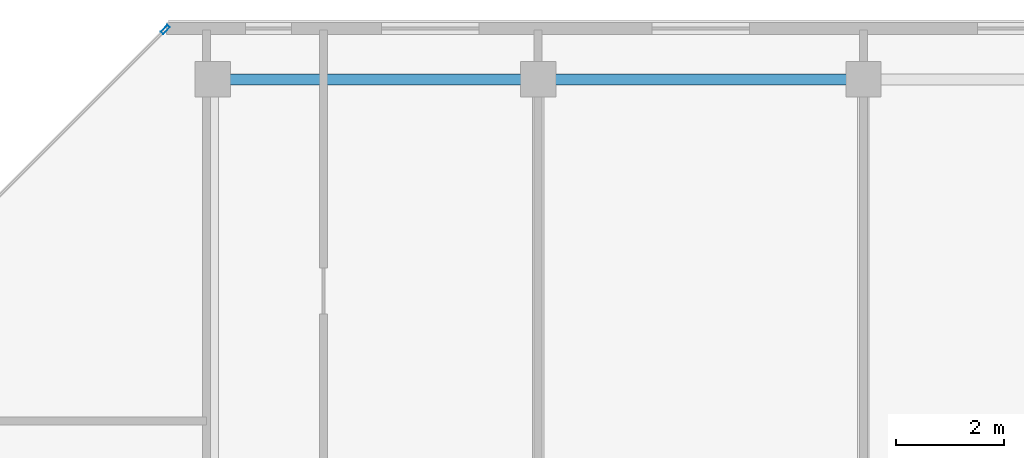
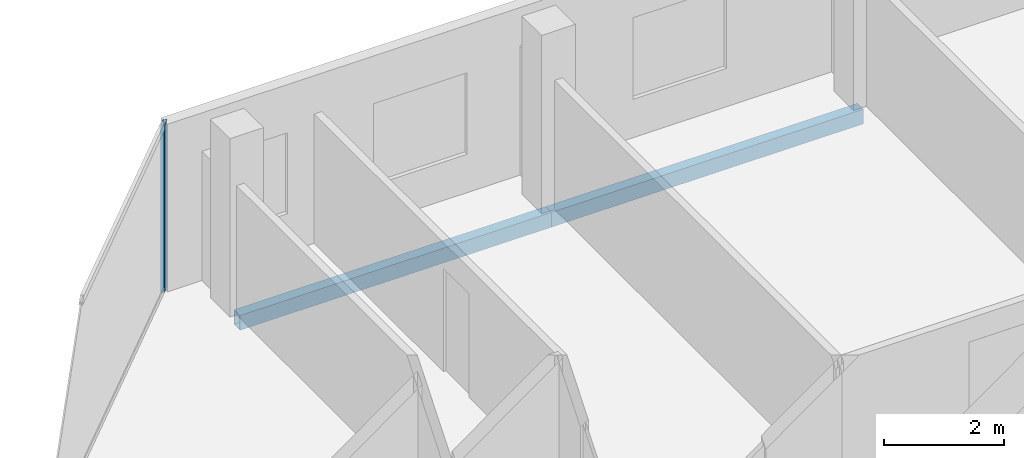
# One storey, part 14 of 28: 2 beams, 1 member, 1 element without a shape of its own.
"""IFC4 building model written with IfcOpenShell, lengths in metres."""

from ifc_helpers import new_model, si_unit, direction, frame, origin, origin_2d, place, context, subcontext, project, spatial, hollow_rectangle, extrude, material, layer, layer_set, material_profile, profile_set, type_object, element, aggregate, save


model = new_model("IFC4")

# Units and contexts
model_context = context("Model", 3, precision=1e-05, world=origin(), true_north=direction((0.0, 1.0)))
body_context = subcontext(model_context, "Body", "Model", "MODEL_VIEW")
ifc_project = project(units=[si_unit("LENGTHUNIT", "METRE"), si_unit("AREAUNIT", "SQUARE_METRE"), si_unit("VOLUMEUNIT", "CUBIC_METRE"), si_unit("PLANEANGLEUNIT", "RADIAN"), si_unit("MASSUNIT", "GRAM", prefix="KILO")], contexts=[model_context])

# Site, building, storey
site_placement = place(None, origin())
site = spatial("IfcSite", under=ifc_project, at=site_placement, CompositionType="ELEMENT")
building_placement = place(site_placement, origin())
building = spatial("IfcBuilding", under=site, at=building_placement, Name="Tanjung Sevakor Pilgrim Tower", CompositionType="ELEMENT")
storey_placement = place(building_placement, frame((0.0, 0.0, 249.81005859375)))
storey = spatial("IfcBuildingStorey", under=building, at=storey_placement, Name="L70", CompositionType="ELEMENT", Elevation=249.81005859375)

# Beams
ifc_material_1 = material(Name="Steel S355J2", Category="steel")
ifc_material_profile_1 = material_profile(ifc_material_1, hollow_rectangle(XDim=0.199951171875, YDim=0.300048828125, WallThickness=0.012451171875, at=origin_2d()))
ifc_profile_set_1 = profile_set([ifc_material_profile_1], Name="Steel S355J2")
beam_type = type_object("IfcBeamType", Name="BM-B-SP3-RHS_300x200x12.5", PredefinedType="SPANDREL", material=ifc_profile_set_1)
for number, where, z_axis, x_axis, name in (
    (1, (72.0, 53.949951171875, -0.3701171875), (1.0, 0.0, 0.0), (0.0, 1.0, 0.0), "L70 Spandrel EAST N-02"),
    (2, (78.0, 53.949951171875, -0.3701171875), (1.0, 0.0, 0.0), (0.0, 1.0, 0.0), "L70 Spandrel EAST N-04"),
):
    element("IfcBeam", number, at=place(storey_placement, frame(where, z_axis=z_axis, x_axis=x_axis)), inside=storey, type_object=beam_type, Name=name, PredefinedType="SPANDREL", context=body_context, shape_type="SweptSolid", body=[
        extrude(hollow_rectangle(XDim=0.199951171875, YDim=0.300048828125, WallThickness=0.012451171875, at=origin_2d()), origin(), (0.0, 0.0, 1.0), 6.0),
    ])

# Curtain wall, member
ifc_material_2 = material(Name="Aluminium 6063-T6 and Low-E Glass", Category="aluminium")
ifc_layer = layer(ifc_material_2, 0.179931640625)
ifc_layer_set = layer_set([ifc_layer], Name="CW-SYS-CHAM")
curtain_wall_type = type_object("IfcCurtainWallType", Name="CW-SYS-CHAM", PredefinedType="NOTDEFINED", material=ifc_layer_set)
curtain_wall_placement = place(storey_placement, origin())
curtain_wall = element("IfcCurtainWall", 3, at=curtain_wall_placement, inside=storey, type_object=curtain_wall_type, Name="L70 Curtain Wall CW-CHM-L70-EAST-5", PredefinedType="NOTDEFINED")
ifc_material_3 = material(Name="Aluminium 6063-T6", Category="aluminium")
ifc_material_profile_2 = material_profile(ifc_material_3, hollow_rectangle(XDim=0.06494140625, YDim=0.179931640625, WallThickness=0.00390625, at=origin_2d()))
ifc_profile_set_2 = profile_set([ifc_material_profile_2], Name="Aluminium 6063-T6")
member_type = type_object("IfcMemberType", Name="TYPE-CWM-1", PredefinedType="MULLION", material=ifc_profile_set_2)
member_placement = place(storey_placement, frame((71.12255859375, 54.866943359375, 0.0), z_axis=(0.0, 0.0, 1.0), x_axis=(0.707106781187, -0.707106781187, 0.0)))
member = element("IfcMember", 4, at=member_placement, type_object=member_type, Name="CW-CHM mullion 1", PredefinedType="MULLION", context=body_context, shape_type="SweptSolid", body=[
    extrude(hollow_rectangle(XDim=0.06494140625, YDim=0.179931640625, WallThickness=0.00390625, at=origin_2d()), origin(), (0.0, 0.0, 1.0), 3.409912109375),
])
aggregate(curtain_wall, [member])

save(model, "model.ifc")
